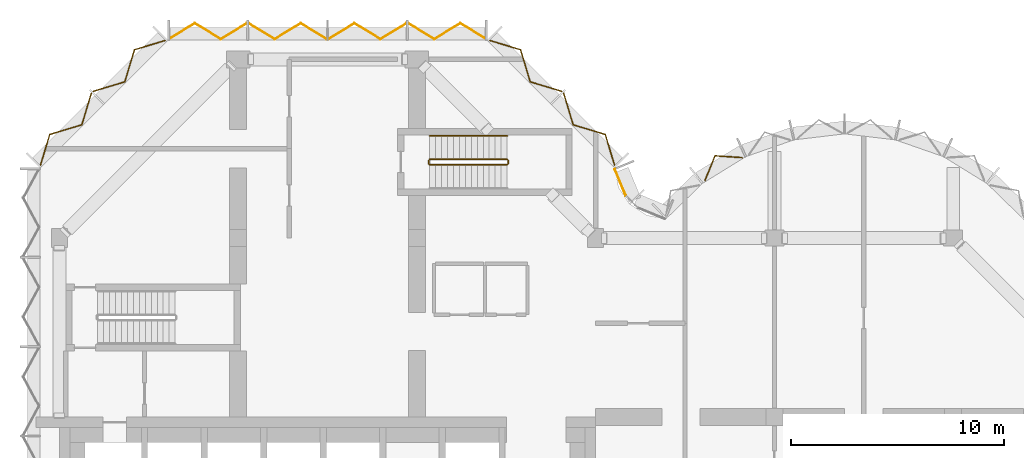
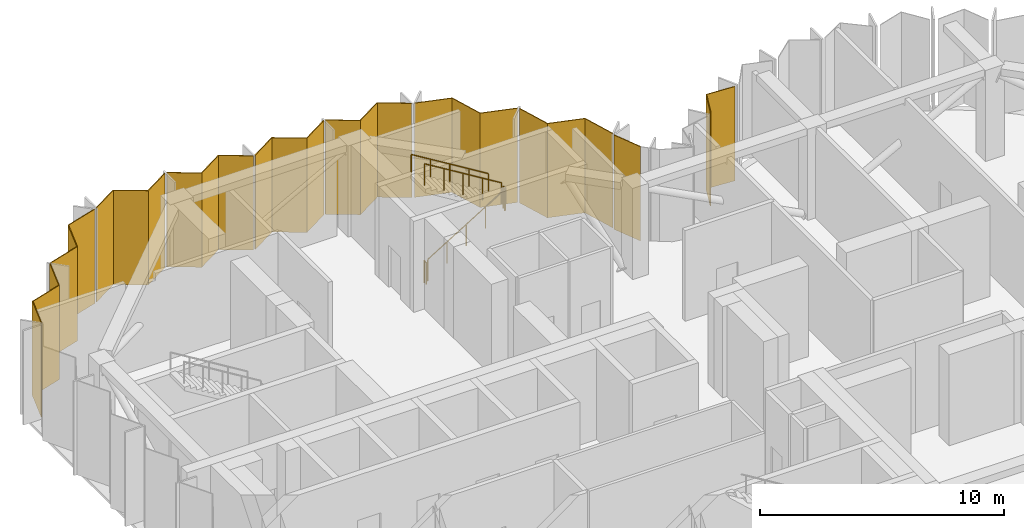
# One storey, part 12 of 13: 10 coverings, 5 railings, 5 elements without a shape of their own.
"""IFC4 building model written with IfcOpenShell, lengths in metres."""

from ifc_helpers import new_model, si_unit, direction, frame, origin, origin_2d, place, context, subcontext, project, spatial, polyline, circle, outline, extrude, material, layer, layer_set, type_object, element, aggregate, save


model = new_model("IFC4")

# Units and contexts
model_context = context("Model", 3, precision=1e-05, world=origin(), true_north=direction((0.0, 1.0)))
body_context = subcontext(model_context, "Body", "Model", "MODEL_VIEW")
ifc_project = project(units=[si_unit("LENGTHUNIT", "METRE"), si_unit("AREAUNIT", "SQUARE_METRE"), si_unit("VOLUMEUNIT", "CUBIC_METRE"), si_unit("PLANEANGLEUNIT", "RADIAN"), si_unit("MASSUNIT", "GRAM", prefix="KILO")], contexts=[model_context])

# Site, building, storey
site_placement = place(None, origin())
site = spatial("IfcSite", under=ifc_project, at=site_placement, CompositionType="ELEMENT")
building_placement = place(site_placement, origin())
building = spatial("IfcBuilding", under=site, at=building_placement, Name="Brevane Broadcast Tower", CompositionType="ELEMENT")
storey_placement = place(building_placement, frame((0.0, 0.0, 210.89990234375)))
storey = spatial("IfcBuildingStorey", under=building, at=storey_placement, Name="L53", CompositionType="ELEMENT", Elevation=210.89990234375)

# Curtain wall, covering
ifc_material_1 = material(Name="Aluminium 6063-T6 bronze anodised", Category="aluminium")
curtain_wall_type = type_object("IfcCurtainWallType", Name="CW-3 curtain wall", PredefinedType="NOTDEFINED", material=ifc_material_1)
curtain_wall_1_placement = place(storey_placement, origin())
curtain_wall_1 = element("IfcCurtainWall", 1, at=curtain_wall_1_placement, inside=storey, type_object=curtain_wall_type, Name="CW-3 refuge louvre unit L53 east bow", PredefinedType="NOTDEFINED")
ifc_material_2 = material(Name="Aluminium bronze anodised cladding", Category="aluminium")
ifc_layer = layer(ifc_material_2, 0.050048828125)
ifc_layer_set = layer_set([ifc_layer], Name="CW refuge spandrel 50")
covering_type = type_object("IfcCoveringType", Name="CW refuge spandrel 50", PredefinedType="CLADDING", material=ifc_layer_set)
covering_1_placement = place(storey_placement, frame((0.0, 0.0, -0.159912109375)))
covering_1 = element("IfcCovering", 2, at=covering_1_placement, type_object=covering_type, Name="Refuge cladding panel", PredefinedType="CLADDING", context=body_context, shape_type="SweptSolid", body=[
    extrude(outline(polyline([(32.104736328125, 28.962646484375), (32.0849609375, 29.004150390625), (30.7958984375, 29.089111328125), (30.31884765625, 27.914794921875), (30.34716796875, 27.87841796875), (30.822265625, 29.04736328125), (32.104736328125, 28.962646484375)])), origin(), (0.0, 0.0, 1.0), 4.7099609375),
])
aggregate(curtain_wall_1, [covering_1])

curtain_wall_2_placement = place(storey_placement, origin())
curtain_wall_2 = element("IfcCurtainWall", 3, at=curtain_wall_2_placement, inside=storey, type_object=curtain_wall_type, Name="CW-3 refuge louvre unit L53 inner corner", PredefinedType="NOTDEFINED")
covering_2_placement = place(storey_placement, frame((0.0, 0.0, -0.159912109375)))
covering_2 = element("IfcCovering", 4, at=covering_2_placement, type_object=covering_type, Name="Refuge cladding panel", PredefinedType="CLADDING", context=body_context, shape_type="SweptSolid", body=[
    extrude(outline(polyline([(26.602783203125, 27.176513671875), (26.63330078125, 27.20703125), (26.113525390625, 28.46240234375), (26.07666015625, 28.447021484375), (26.602783203125, 27.176513671875)])), origin(), (0.0, 0.0, 1.0), 4.7099609375),
])
aggregate(curtain_wall_2, [covering_2])

# Curtain wall, coverings
curtain_wall_3_placement = place(storey_placement, origin())
curtain_wall_3 = element("IfcCurtainWall", 5, at=curtain_wall_3_placement, inside=storey, type_object=curtain_wall_type, Name="CW-3 refuge louvre unit L53 north arm north-east chamfer", PredefinedType="NOTDEFINED")
covering_3_placement = place(storey_placement, frame((0.0, 0.0, -0.159912109375)))
covering_3 = element("IfcCovering", 6, at=covering_3_placement, type_object=covering_type, Name="Refuge cladding panel", PredefinedType="CLADDING", context=body_context, shape_type="SweptSolid", body=[
    extrude(outline(polyline([(26.091064453125, 28.547607421875), (26.123046875, 28.57958984375), (25.668212890625, 30.087158203125), (24.160888671875, 30.5419921875), (23.7060546875, 32.049560546875), (23.674072265625, 32.017333984375), (24.128662109375, 30.510009765625), (25.63623046875, 30.05517578125), (26.091064453125, 28.547607421875)])), origin(), (0.0, 0.0, 1.0), 4.7099609375),
])
covering_4_placement = place(storey_placement, frame((0.0, 0.0, -0.159912109375)))
covering_4 = element("IfcCovering", 7, at=covering_4_placement, type_object=covering_type, Name="Refuge cladding panel", PredefinedType="CLADDING", context=body_context, shape_type="SweptSolid", body=[
    extrude(outline(polyline([(23.617431640625, 32.073974609375), (23.6494140625, 32.106201171875), (22.14208984375, 32.560791015625), (21.687255859375, 34.068359375), (20.1796875, 34.523193359375), (20.147705078125, 34.490966796875), (21.655029296875, 34.0361328125), (22.10986328125, 32.52880859375), (23.617431640625, 32.073974609375)])), origin(), (0.0, 0.0, 1.0), 4.7099609375),
])
aggregate(curtain_wall_3, [covering_3, covering_4])

curtain_wall_4_placement = place(storey_placement, origin())
curtain_wall_4 = element("IfcCurtainWall", 8, at=curtain_wall_4_placement, inside=storey, type_object=curtain_wall_type, Name="CW-3 refuge louvre unit L53 north end", PredefinedType="NOTDEFINED")
covering_5_placement = place(storey_placement, frame((0.0, 0.0, -0.159912109375)))
covering_5 = element("IfcCovering", 9, at=covering_5_placement, type_object=covering_type, Name="Refuge cladding panel", PredefinedType="CLADDING", context=body_context, shape_type="SweptSolid", body=[
    extrude(outline(polyline([(20.06005859375, 34.526611328125), (20.06005859375, 34.573486328125), (18.836669921875, 35.31787109375), (17.61328125, 34.573486328125), (16.389892578125, 35.31787109375), (16.389892578125, 35.27099609375), (17.61328125, 34.526611328125), (18.836669921875, 35.27099609375), (20.06005859375, 34.526611328125)])), origin(), (0.0, 0.0, 1.0), 4.7099609375),
])
covering_6_placement = place(storey_placement, frame((0.0, 0.0, -0.159912109375)))
covering_6 = element("IfcCovering", 10, at=covering_6_placement, type_object=covering_type, Name="Refuge cladding panel", PredefinedType="CLADDING", context=body_context, shape_type="SweptSolid", body=[
    extrude(outline(polyline([(16.31005859375, 35.27099609375), (16.31005859375, 35.31787109375), (15.086669921875, 34.573486328125), (13.86328125, 35.31787109375), (12.639892578125, 34.573486328125), (12.639892578125, 34.526611328125), (13.86328125, 35.27099609375), (15.086669921875, 34.526611328125), (16.31005859375, 35.27099609375)])), origin(), (0.0, 0.0, 1.0), 4.7099609375),
])
covering_7_placement = place(storey_placement, frame((0.0, 0.0, -0.159912109375)))
covering_7 = element("IfcCovering", 11, at=covering_7_placement, type_object=covering_type, Name="Refuge cladding panel", PredefinedType="CLADDING", context=body_context, shape_type="SweptSolid", body=[
    extrude(outline(polyline([(12.56005859375, 34.526611328125), (12.56005859375, 34.573486328125), (11.336669921875, 35.31787109375), (10.11328125, 34.573486328125), (8.889892578125, 35.31787109375), (8.889892578125, 35.27099609375), (10.11328125, 34.526611328125), (11.336669921875, 35.27099609375), (12.56005859375, 34.526611328125)])), origin(), (0.0, 0.0, 1.0), 4.7099609375),
])
covering_8_placement = place(storey_placement, frame((0.0, 0.0, -0.159912109375)))
covering_8 = element("IfcCovering", 12, at=covering_8_placement, type_object=covering_type, Name="Refuge cladding panel", PredefinedType="CLADDING", context=body_context, shape_type="SweptSolid", body=[
    extrude(outline(polyline([(8.81005859375, 35.27099609375), (8.81005859375, 35.31787109375), (7.586669921875, 34.573486328125), (6.36328125, 35.31787109375), (5.139892578125, 34.573486328125), (5.139892578125, 34.526611328125), (6.36328125, 35.27099609375), (7.586669921875, 34.526611328125), (8.81005859375, 35.27099609375)])), origin(), (0.0, 0.0, 1.0), 4.7099609375),
])
aggregate(curtain_wall_4, [covering_5, covering_6, covering_7, covering_8])

curtain_wall_5_placement = place(storey_placement, origin())
curtain_wall_5 = element("IfcCurtainWall", 13, at=curtain_wall_5_placement, inside=storey, type_object=curtain_wall_type, Name="CW-3 refuge louvre unit L53 north-west chamfer", PredefinedType="NOTDEFINED")
covering_9_placement = place(storey_placement, frame((0.0, 0.0, -0.159912109375)))
covering_9 = element("IfcCovering", 14, at=covering_9_placement, type_object=covering_type, Name="Refuge cladding panel", PredefinedType="CLADDING", context=body_context, shape_type="SweptSolid", body=[
    extrude(outline(polyline([(5.052490234375, 34.490966796875), (5.020263671875, 34.523193359375), (3.5126953125, 34.068359375), (3.05810546875, 32.560791015625), (1.550537109375, 32.106201171875), (1.58251953125, 32.073974609375), (3.090087890625, 32.52880859375), (3.544921875, 34.0361328125), (5.052490234375, 34.490966796875)])), origin(), (0.0, 0.0, 1.0), 4.7099609375),
])
covering_10_placement = place(storey_placement, frame((0.0, 0.0, -0.159912109375)))
covering_10 = element("IfcCovering", 15, at=covering_10_placement, type_object=covering_type, Name="Refuge cladding panel", PredefinedType="CLADDING", context=body_context, shape_type="SweptSolid", body=[
    extrude(outline(polyline([(1.52587890625, 32.017333984375), (1.493896484375, 32.049560546875), (1.039306640625, 30.5419921875), (-0.46826171875, 30.087158203125), (-0.923095703125, 28.57958984375), (-0.89111328125, 28.547607421875), (-0.436279296875, 30.05517578125), (1.0712890625, 30.510009765625), (1.52587890625, 32.017333984375)])), origin(), (0.0, 0.0, 1.0), 4.7099609375),
])
aggregate(curtain_wall_5, [covering_9, covering_10])

# Railings
ifc_material_3 = material(Name="Steel S355", Category="steel")
railing_type_1 = type_object("IfcRailingType", Name="Exit stair guard", PredefinedType="GUARDRAIL", material=ifc_material_3)
railing_1_placement = place(storey_placement, frame((17.39990234375, 28.64990234375, 0.171630859375)))
element("IfcRailing", 16, at=railing_1_placement, inside=storey, type_object=railing_type_1, Name="L53 ST-3 stair guard 1", PredefinedType="GUARDRAIL", context=body_context, shape_type="SweptSolid", body=[
    extrude(circle(Radius=0.02392578125, at=origin_2d()), frame((0.0, 0.0, 1.076171875), z_axis=(0.852865859571, 0.0, 0.52213008492), x_axis=(0.0, 1.0, 0.0)), (0.0, 0.0, 1.0), 4.26806640625),
    extrude(circle(Radius=0.02099609375, at=origin_2d()), origin(), (0.0, 0.0, 1.0), 1.052001953125),
    extrude(circle(Radius=0.02099609375, at=origin_2d()), frame((0.91015625, 0.0, 0.55712890625)), (0.0, 0.0, 1.0), 1.052001953125),
    extrude(circle(Radius=0.02099609375, at=origin_2d()), frame((1.820068359375, 0.0, 1.1142578125)), (0.0, 0.0, 1.0), 1.052001953125),
    extrude(circle(Radius=0.02099609375, at=origin_2d()), frame((2.72998046875, 0.0, 1.67138671875)), (0.0, 0.0, 1.0), 1.052001953125),
    extrude(circle(Radius=0.02099609375, at=origin_2d()), frame((3.64013671875, 0.0, 2.228515625)), (0.0, 0.0, 1.0), 1.052001953125),
])
railing_2_placement = place(storey_placement, frame((21.090087890625, 28.699951171875, 2.400146484375)))
element("IfcRailing", 17, at=railing_2_placement, inside=storey, type_object=railing_type_1, Name="L53 ST-3 stair guard 2", PredefinedType="GUARDRAIL", context=body_context, shape_type="SweptSolid", body=[
    extrude(circle(Radius=0.02392578125, at=origin_2d()), frame((0.0, 0.0, 1.076171875), z_axis=(0.0, 1.0, 0.0), x_axis=(-1.0, 0.0, 0.0)), (0.0, 0.0, 1.0), 0.150146484375),
    extrude(circle(Radius=0.02099609375, at=origin_2d()), origin(), (0.0, 0.0, 1.0), 1.052001953125),
    extrude(circle(Radius=0.02099609375, at=origin_2d()), frame((0.0, 0.150146484375, 0.0)), (0.0, 0.0, 1.0), 1.052001953125),
])
railing_3_placement = place(storey_placement, frame((21.0400390625, 28.89990234375, 2.571533203125)))
element("IfcRailing", 18, at=railing_3_placement, inside=storey, type_object=railing_type_1, Name="L53 ST-3 stair guard 3", PredefinedType="GUARDRAIL", context=body_context, shape_type="SweptSolid", body=[
    extrude(circle(Radius=0.02392578125, at=origin_2d()), frame((0.0, 0.0, 1.076171875), z_axis=(-0.852865859571, 0.0, 0.52213008492), x_axis=(0.0, -1.0, 0.0)), (0.0, 0.0, 1.0), 4.26806640625),
    extrude(circle(Radius=0.02099609375, at=origin_2d()), origin(), (0.0, 0.0, 1.0), 1.052001953125),
    extrude(circle(Radius=0.02099609375, at=origin_2d()), frame((-0.91015625, 0.0, 0.55712890625)), (0.0, 0.0, 1.0), 1.052001953125),
    extrude(circle(Radius=0.02099609375, at=origin_2d()), frame((-1.820068359375, 0.0, 1.1142578125)), (0.0, 0.0, 1.0), 1.052001953125),
    extrude(circle(Radius=0.02099609375, at=origin_2d()), frame((-2.72998046875, 0.0, 1.67138671875)), (0.0, 0.0, 1.0), 1.052001953125),
    extrude(circle(Radius=0.02099609375, at=origin_2d()), frame((-3.64013671875, 0.0, 2.228515625)), (0.0, 0.0, 1.0), 1.052001953125),
])
railing_4_placement = place(storey_placement, frame((17.35009765625, 28.699951171875, 0.0)))
element("IfcRailing", 19, at=railing_4_placement, inside=storey, type_object=railing_type_1, Name="L53 ST-3 stair guard 4", PredefinedType="GUARDRAIL", context=body_context, shape_type="SweptSolid", body=[
    extrude(circle(Radius=0.02392578125, at=origin_2d()), frame((0.0, 0.0, 1.076171875), z_axis=(0.0, 1.0, 0.0), x_axis=(-1.0, 0.0, 0.0)), (0.0, 0.0, 1.0), 0.150146484375),
    extrude(circle(Radius=0.02099609375, at=origin_2d()), origin(), (0.0, 0.0, 1.0), 1.052001953125),
    extrude(circle(Radius=0.02099609375, at=origin_2d()), frame((0.0, 0.150146484375, 0.0)), (0.0, 0.0, 1.0), 1.052001953125),
])
railing_type_2 = type_object("IfcRailingType", Name="Exit stair handrail", PredefinedType="HANDRAIL", material=ifc_material_3)
railing_5_placement = place(storey_placement, frame((21.0400390625, 30.0, 2.571533203125)))
element("IfcRailing", 20, at=railing_5_placement, inside=storey, type_object=railing_type_2, Name="L53 ST-3 stair handrail 2", PredefinedType="HANDRAIL", context=body_context, shape_type="SweptSolid", body=[
    extrude(circle(Radius=0.02392578125, at=origin_2d()), frame((0.0, 0.0, 0.8759765625), z_axis=(-0.852865859571, 0.0, 0.52213008492), x_axis=(0.0, -1.0, 0.0)), (0.0, 0.0, 1.0), 4.26806640625),
    extrude(circle(Radius=0.02099609375, at=origin_2d()), origin(), (0.0, 0.0, 1.0), 0.851806640625),
    extrude(circle(Radius=0.02099609375, at=origin_2d()), frame((-0.91015625, 0.0, 0.55712890625)), (0.0, 0.0, 1.0), 0.851806640625),
    extrude(circle(Radius=0.02099609375, at=origin_2d()), frame((-1.820068359375, 0.0, 1.1142578125)), (0.0, 0.0, 1.0), 0.851806640625),
    extrude(circle(Radius=0.02099609375, at=origin_2d()), frame((-2.72998046875, 0.0, 1.67138671875)), (0.0, 0.0, 1.0), 0.851806640625),
    extrude(circle(Radius=0.02099609375, at=origin_2d()), frame((-3.64013671875, 0.0, 2.228515625)), (0.0, 0.0, 1.0), 0.851806640625),
])

save(model, "model.ifc")
